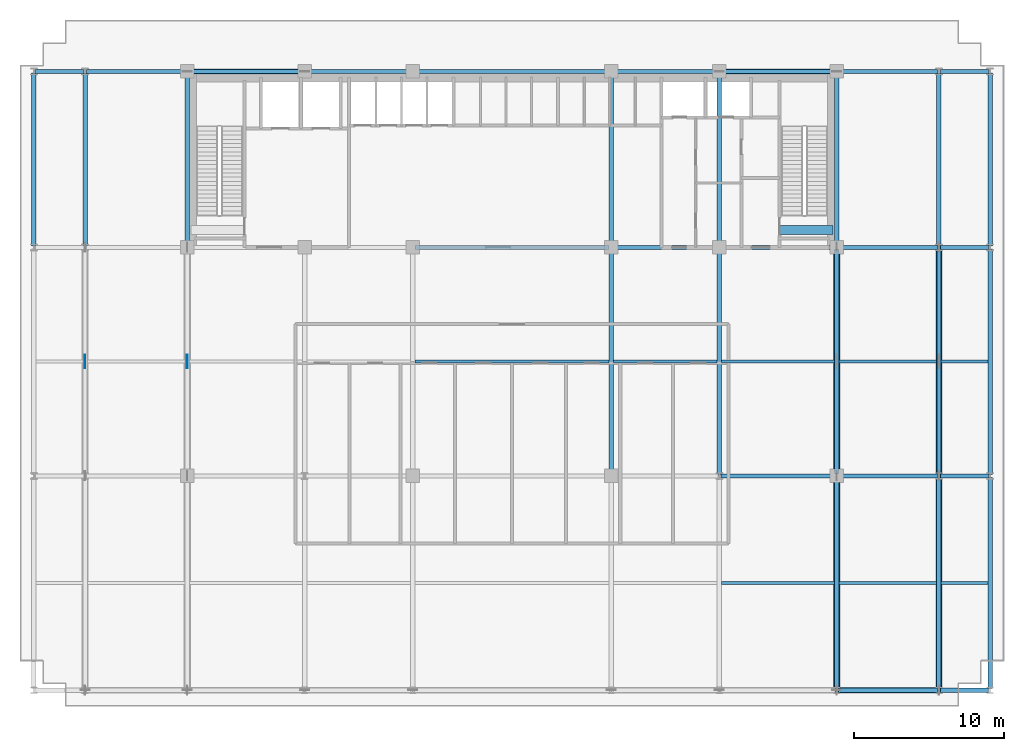
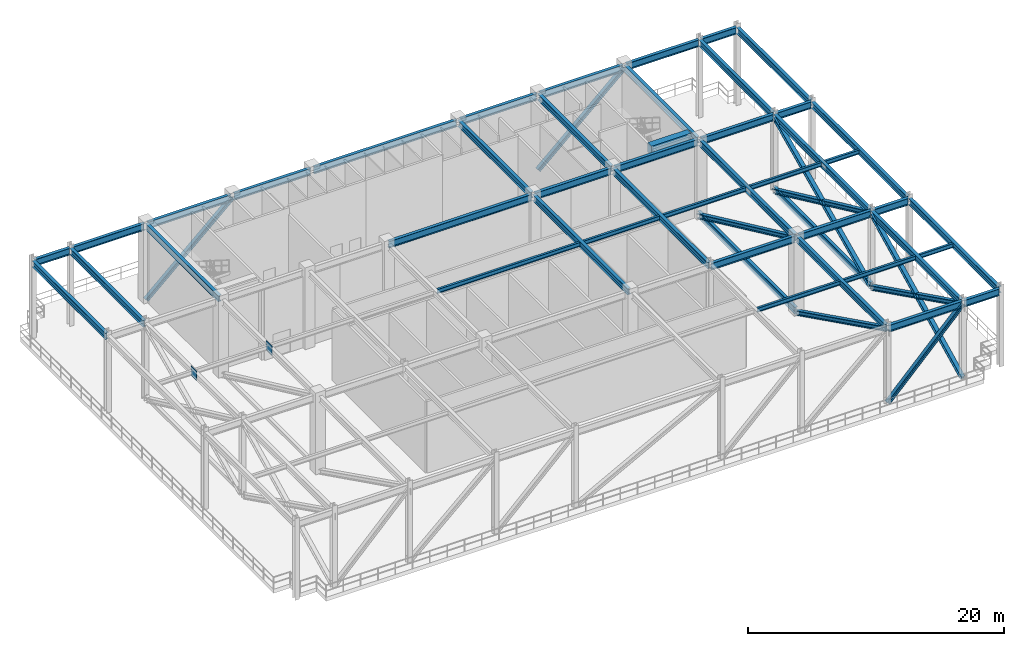
# One storey, part 5 of 16: 44 beams, 11 members, 2 plates.
"""IFC4 building model written with IfcOpenShell, lengths in metres."""

from ifc_helpers import new_model, si_unit, direction, frame, origin, origin_2d, place, context, subcontext, project, spatial, rectangle, i_section, extrude, source, transform, mapped, material, layer, layer_set, material_profile, profile_set, type_object, element, save


model = new_model("IFC4")

# Units and contexts
model_context = context("Model", 3, precision=1e-05, world=origin(), true_north=direction((0.0, 1.0)))
body_context = subcontext(model_context, "Body", "Model", "MODEL_VIEW")
ifc_project = project(units=[si_unit("LENGTHUNIT", "METRE"), si_unit("AREAUNIT", "SQUARE_METRE"), si_unit("VOLUMEUNIT", "CUBIC_METRE"), si_unit("PLANEANGLEUNIT", "RADIAN"), si_unit("MASSUNIT", "GRAM", prefix="KILO")], contexts=[model_context])

# Site, building, storey
site_placement = place(None, origin())
site = spatial("IfcSite", under=ifc_project, at=site_placement, CompositionType="ELEMENT")
building_placement = place(site_placement, origin())
building = spatial("IfcBuilding", under=site, at=building_placement, Name="Trelvane Seafront Commons", CompositionType="ELEMENT")
storey_placement = place(building_placement, frame((0.0, 0.0, 73.89990234375)))
storey = spatial("IfcBuildingStorey", under=building, at=storey_placement, Name="L19", CompositionType="ELEMENT", Elevation=73.89990234375)

# Beams
ifc_material_1 = material(Name="Concrete C60/75", Category="concrete")
ifc_material_profile_1 = material_profile(ifc_material_1, rectangle(XDim=0.60009765625, YDim=0.89990234375, at=origin_2d()), Name="RC-600x900")
ifc_profile_set_1 = profile_set([ifc_material_profile_1], Name="Concrete C60/75")
beam_type_1 = type_object("IfcBeamType", Name="STR-LNT-RC600x900", PredefinedType="LINTEL", material=ifc_profile_set_1)
shared_shape_1 = source(origin(), body_context, "Body", "SweptSolid", [
    extrude(rectangle(XDim=0.60009765625, YDim=0.89990234375, at=origin_2d()), origin(), (0.0, 0.0, 1.0), 3.550048828125),
])
beam_1_placement = place(storey_placement, frame((55.0, 34.550048828125, 6.97021484375), z_axis=(1.0, 0.0, 0.0), x_axis=(0.0, 1.0, 0.0)))
element("IfcBeam", 1, at=beam_1_placement, inside=storey, type_object=beam_type_1, Name="L19 Core Coupling Lintel Beam CB-86", PredefinedType="LINTEL", context=body_context, shape_type="MappedRepresentation", body=[
    mapped(shared_shape_1, transform((0.0, 0.0, 0.0), x_axis=(1.0, 0.0, 0.0), y_axis=(0.0, 1.0, 0.0), z_axis=(0.0, 0.0, 1.0), scale=1.0)),
])
ifc_material_2 = material(Name="Steel SM355 (S355)", Category="steel")
ifc_material_profile_2 = material_profile(ifc_material_2, i_section(OverallWidth=0.280029296875, OverallDepth=0.64990234375, WebThickness=0.012939453125, FlangeThickness=0.02197265625, at=origin_2d()), Name="H-650x280x13x22")
ifc_profile_set_2 = profile_set([ifc_material_profile_2], Name="Steel SM355 (S355)")
beam_type_2 = type_object("IfcBeamType", Name="STR-BM-H650", PredefinedType="BEAM", material=ifc_profile_set_2)
shared_shape_2 = source(origin(), body_context, "Body", "SweptSolid", [
    extrude(i_section(OverallWidth=0.280029296875, OverallDepth=0.64990234375, WebThickness=0.012939453125, FlangeThickness=0.02197265625, at=origin_2d()), origin(), (0.0, 0.0, 1.0), 3.190185546875),
])
beam_2_placement = place(storey_placement, frame((5.5048828125, 45.10009765625, 7.09521484375), z_axis=(1.0, 0.0, 0.0), x_axis=(0.0, 1.0, 0.0)))
element("IfcBeam", 2, at=beam_2_placement, inside=storey, type_object=beam_type_2, Name="L19 Primary Girder G-28", PredefinedType="BEAM", context=body_context, shape_type="MappedRepresentation", body=[
    mapped(shared_shape_2, transform((0.0, 0.0, 0.0), x_axis=(1.0, 0.0, 0.0), y_axis=(0.0, 1.0, 0.0), z_axis=(0.0, 0.0, 1.0), scale=1.0)),
])
shared_shape_3 = source(origin(), body_context, "Body", "SweptSolid", [
    extrude(i_section(OverallWidth=0.280029296875, OverallDepth=0.64990234375, WebThickness=0.012939453125, FlangeThickness=0.02197265625, at=origin_2d()), origin(), (0.0, 0.0, 1.0), 6.590087890625),
])
beam_3_placement = place(storey_placement, frame((58.905029296875, 3.949951171875, 7.09521484375), z_axis=(1.0, 0.0, 0.0), x_axis=(0.0, 1.0, 0.0)))
element("IfcBeam", 3, at=beam_3_placement, inside=storey, type_object=beam_type_2, Name="L19 Primary Girder G-08", PredefinedType="BEAM", context=body_context, shape_type="MappedRepresentation", body=[
    mapped(shared_shape_3, transform((0.0, 0.0, 0.0), x_axis=(1.0, 0.0, 0.0), y_axis=(0.0, 1.0, 0.0), z_axis=(0.0, 0.0, 1.0), scale=1.0)),
])
shared_shape_4 = source(origin(), body_context, "Body", "SweptSolid", [
    extrude(i_section(OverallWidth=0.280029296875, OverallDepth=0.64990234375, WebThickness=0.012939453125, FlangeThickness=0.02197265625, at=origin_2d()), origin(), (0.0, 0.0, 1.0), 3.18994140625),
])
for number, where, z_axis, x_axis, name in (
    (4, (65.705078125, 3.949951171875, 7.09521484375), (1.0, 0.0, 0.0), (0.0, 1.0, 0.0), "L19 Primary Girder G-09"),
    (5, (65.705078125, 18.199951171875, 7.09521484375), (1.0, 0.0, 0.0), (0.0, 1.0, 0.0), "L19 Primary Girder G-18"),
    (6, (65.705078125, 33.39990234375, 7.09521484375), (1.0, 0.0, 0.0), (0.0, 1.0, 0.0), "L19 Primary Girder G-27"),
    (7, (65.705078125, 45.10009765625, 7.09521484375), (1.0, 0.0, 0.0), (0.0, 1.0, 0.0), "L19 Primary Girder G-36"),
):
    element("IfcBeam", number, at=place(storey_placement, frame(where, z_axis=z_axis, x_axis=x_axis)), inside=storey, type_object=beam_type_2, Name=name, PredefinedType="BEAM", context=body_context, shape_type="MappedRepresentation", body=[
        mapped(shared_shape_4, transform((0.0, 0.0, 0.0), x_axis=(1.0, 0.0, 0.0), y_axis=(0.0, 1.0, 0.0), z_axis=(0.0, 0.0, 1.0), scale=1.0)),
    ])
shared_shape_5 = source(origin(), body_context, "Body", "SweptSolid", [
    extrude(i_section(OverallWidth=0.280029296875, OverallDepth=0.64990234375, WebThickness=0.012939453125, FlangeThickness=0.02197265625, at=origin_2d()), origin(), (0.0, 0.0, 1.0), 6.544921875),
])
beam_4_placement = place(storey_placement, frame((8.905029296875, 45.10009765625, 7.09521484375), z_axis=(1.0, 0.0, 0.0), x_axis=(0.0, 1.0, 0.0)))
element("IfcBeam", 8, at=beam_4_placement, inside=storey, type_object=beam_type_2, Name="L19 Primary Girder G-29", PredefinedType="BEAM", context=body_context, shape_type="MappedRepresentation", body=[
    mapped(shared_shape_5, transform((0.0, 0.0, 0.0), x_axis=(1.0, 0.0, 0.0), y_axis=(0.0, 1.0, 0.0), z_axis=(0.0, 0.0, 1.0), scale=1.0)),
])
shared_shape_6 = source(origin(), body_context, "Body", "SweptSolid", [
    extrude(i_section(OverallWidth=0.280029296875, OverallDepth=0.64990234375, WebThickness=0.012939453125, FlangeThickness=0.02197265625, at=origin_2d()), origin(), (0.0, 0.0, 1.0), 7.544921875),
])
beam_5_placement = place(storey_placement, frame((51.10498046875, 18.199951171875, 7.09521484375), z_axis=(1.0, 0.0, 0.0), x_axis=(0.0, 1.0, 0.0)))
element("IfcBeam", 9, at=beam_5_placement, inside=storey, type_object=beam_type_2, Name="L19 Primary Girder G-16", PredefinedType="BEAM", context=body_context, shape_type="MappedRepresentation", body=[
    mapped(shared_shape_6, transform((0.0, 0.0, 0.0), x_axis=(1.0, 0.0, 0.0), y_axis=(0.0, 1.0, 0.0), z_axis=(0.0, 0.0, 1.0), scale=1.0)),
])
shared_shape_7 = source(origin(), body_context, "Body", "SweptSolid", [
    extrude(i_section(OverallWidth=0.280029296875, OverallDepth=0.64990234375, WebThickness=0.012939453125, FlangeThickness=0.02197265625, at=origin_2d()), origin(), (0.0, 0.0, 1.0), 12.89990234375),
])
for number, where, z_axis, x_axis, name in (
    (10, (30.75, 33.39990234375, 7.09521484375), (1.0, 0.0, 0.0), (0.0, 1.0, 0.0), "L19 Primary Girder G-23"),
    (11, (30.75, 45.10009765625, 7.09521484375), (1.0, 0.0, 0.0), (0.0, 1.0, 0.0), "L19 Primary Girder G-32"),
):
    element("IfcBeam", number, at=place(storey_placement, frame(where, z_axis=z_axis, x_axis=x_axis)), inside=storey, type_object=beam_type_2, Name=name, PredefinedType="BEAM", context=body_context, shape_type="MappedRepresentation", body=[
        mapped(shared_shape_7, transform((0.0, 0.0, 0.0), x_axis=(1.0, 0.0, 0.0), y_axis=(0.0, 1.0, 0.0), z_axis=(0.0, 0.0, 1.0), scale=1.0)),
    ])
shared_shape_8 = source(origin(), body_context, "Body", "SweptSolid", [
    extrude(i_section(OverallWidth=0.280029296875, OverallDepth=0.64990234375, WebThickness=0.012939453125, FlangeThickness=0.02197265625, at=origin_2d()), origin(), (0.0, 0.0, 1.0), 6.545166015625),
])
for number, where, z_axis, x_axis, name in (
    (12, (58.949951171875, 18.199951171875, 7.09521484375), (1.0, 0.0, 0.0), (0.0, 1.0, 0.0), "L19 Primary Girder G-17"),
    (13, (58.949951171875, 33.39990234375, 7.09521484375), (1.0, 0.0, 0.0), (0.0, 1.0, 0.0), "L19 Primary Girder G-26"),
    (14, (58.949951171875, 45.10009765625, 7.09521484375), (1.0, 0.0, 0.0), (0.0, 1.0, 0.0), "L19 Primary Girder G-35"),
):
    element("IfcBeam", number, at=place(storey_placement, frame(where, z_axis=z_axis, x_axis=x_axis)), inside=storey, type_object=beam_type_2, Name=name, PredefinedType="BEAM", context=body_context, shape_type="MappedRepresentation", body=[
        mapped(shared_shape_8, transform((0.0, 0.0, 0.0), x_axis=(1.0, 0.0, 0.0), y_axis=(0.0, 1.0, 0.0), z_axis=(0.0, 0.0, 1.0), scale=1.0)),
    ])
shared_shape_9 = source(origin(), body_context, "Body", "SweptSolid", [
    extrude(i_section(OverallWidth=0.280029296875, OverallDepth=0.64990234375, WebThickness=0.012939453125, FlangeThickness=0.02197265625, at=origin_2d()), origin(), (0.0, 0.0, 1.0), 7.5),
])
for number, where, z_axis, x_axis, name in (
    (15, (51.14990234375, 33.39990234375, 7.09521484375), (1.0, 0.0, 0.0), (0.0, 1.0, 0.0), "L19 Primary Girder G-25"),
    (16, (15.75, 45.10009765625, 7.09521484375), (1.0, 0.0, 0.0), (0.0, 1.0, 0.0), "L19 Primary Girder G-30"),
    (17, (51.14990234375, 45.10009765625, 7.09521484375), (1.0, 0.0, 0.0), (0.0, 1.0, 0.0), "L19 Primary Girder G-34"),
):
    element("IfcBeam", number, at=place(storey_placement, frame(where, z_axis=z_axis, x_axis=x_axis)), inside=storey, type_object=beam_type_2, Name=name, PredefinedType="BEAM", context=body_context, shape_type="MappedRepresentation", body=[
        mapped(shared_shape_9, transform((0.0, 0.0, 0.0), x_axis=(1.0, 0.0, 0.0), y_axis=(0.0, 1.0, 0.0), z_axis=(0.0, 0.0, 1.0), scale=1.0)),
    ])
shared_shape_10 = source(origin(), body_context, "Body", "SweptSolid", [
    extrude(i_section(OverallWidth=0.280029296875, OverallDepth=0.64990234375, WebThickness=0.012939453125, FlangeThickness=0.02197265625, at=origin_2d()), origin(), (0.0, 0.0, 1.0), 6.89990234375),
])
beam_6_placement = place(storey_placement, frame((23.550048828125, 45.10009765625, 7.09521484375), z_axis=(1.0, 0.0, 0.0), x_axis=(0.0, 1.0, 0.0)))
element("IfcBeam", 18, at=beam_6_placement, inside=storey, type_object=beam_type_2, Name="L19 Primary Girder G-31", PredefinedType="BEAM", context=body_context, shape_type="MappedRepresentation", body=[
    mapped(shared_shape_10, transform((0.0, 0.0, 0.0), x_axis=(1.0, 0.0, 0.0), y_axis=(0.0, 1.0, 0.0), z_axis=(0.0, 0.0, 1.0), scale=1.0)),
])
shared_shape_11 = source(origin(), body_context, "Body", "SweptSolid", [
    extrude(i_section(OverallWidth=0.280029296875, OverallDepth=0.64990234375, WebThickness=0.012939453125, FlangeThickness=0.02197265625, at=origin_2d()), origin(), (0.0, 0.0, 1.0), 6.900146484375),
])
for number, where, z_axis, x_axis, name in (
    (19, (43.949951171875, 33.39990234375, 7.09521484375), (1.0, 0.0, 0.0), (0.0, 1.0, 0.0), "L19 Primary Girder G-24"),
    (20, (43.949951171875, 45.10009765625, 7.09521484375), (1.0, 0.0, 0.0), (0.0, 1.0, 0.0), "L19 Primary Girder G-33"),
):
    element("IfcBeam", number, at=place(storey_placement, frame(where, z_axis=z_axis, x_axis=x_axis)), inside=storey, type_object=beam_type_2, Name=name, PredefinedType="BEAM", context=body_context, shape_type="MappedRepresentation", body=[
        mapped(shared_shape_11, transform((0.0, 0.0, 0.0), x_axis=(1.0, 0.0, 0.0), y_axis=(0.0, 1.0, 0.0), z_axis=(0.0, 0.0, 1.0), scale=1.0)),
    ])
ifc_material_profile_3 = material_profile(ifc_material_2, i_section(OverallWidth=0.300048828125, OverallDepth=0.587890625, WebThickness=0.011962890625, FlangeThickness=0.02001953125, at=origin_2d()), Name="H-588x300x12x20")
ifc_profile_set_3 = profile_set([ifc_material_profile_3], Name="Steel SM355 (S355)")
beam_type_3 = type_object("IfcBeamType", Name="STR-BM-H588", PredefinedType="BEAM", material=ifc_profile_set_3)
shared_shape_12 = source(origin(), body_context, "Body", "SweptSolid", [
    extrude(i_section(OverallWidth=0.300048828125, OverallDepth=0.587890625, WebThickness=0.011962890625, FlangeThickness=0.02001953125, at=origin_2d()), origin(), (0.0, 0.0, 1.0), 14.0400390625),
])
for number, where, z_axis, x_axis, name in (
    (21, (65.60009765625, 4.054931640625, 7.1259765625), (0.0, 1.0, 0.0), (-1.0, 0.0, 0.0), "L19 Primary Girder G-61"),
    (22, (69.0, 4.054931640625, 7.1259765625), (0.0, 1.0, 0.0), (-1.0, 0.0, 0.0), "L19 Primary Girder G-64"),
):
    element("IfcBeam", number, at=place(storey_placement, frame(where, z_axis=z_axis, x_axis=x_axis)), inside=storey, type_object=beam_type_3, Name=name, PredefinedType="BEAM", context=body_context, shape_type="MappedRepresentation", body=[
        mapped(shared_shape_12, transform((0.0, 0.0, 0.0), x_axis=(1.0, 0.0, 0.0), y_axis=(0.0, 1.0, 0.0), z_axis=(0.0, 0.0, 1.0), scale=1.0)),
    ])
shared_shape_13 = source(origin(), body_context, "Body", "SweptSolid", [
    extrude(i_section(OverallWidth=0.300048828125, OverallDepth=0.587890625, WebThickness=0.011962890625, FlangeThickness=0.02001953125, at=origin_2d()), origin(), (0.0, 0.0, 1.0), 14.989990234375),
])
for number, where, z_axis, x_axis, name in (
    (23, (65.60009765625, 18.304931640625, 7.1259765625), (0.0, 1.0, 0.0), (-1.0, 0.0, 0.0), "L19 Primary Girder G-62"),
    (24, (69.0, 18.304931640625, 7.1259765625), (0.0, 1.0, 0.0), (-1.0, 0.0, 0.0), "L19 Primary Girder G-65"),
):
    element("IfcBeam", number, at=place(storey_placement, frame(where, z_axis=z_axis, x_axis=x_axis)), inside=storey, type_object=beam_type_3, Name=name, PredefinedType="BEAM", context=body_context, shape_type="MappedRepresentation", body=[
        mapped(shared_shape_13, transform((0.0, 0.0, 0.0), x_axis=(1.0, 0.0, 0.0), y_axis=(0.0, 1.0, 0.0), z_axis=(0.0, 0.0, 1.0), scale=1.0)),
    ])
shared_shape_14 = source(origin(), body_context, "Body", "SweptSolid", [
    extrude(i_section(OverallWidth=0.300048828125, OverallDepth=0.587890625, WebThickness=0.011962890625, FlangeThickness=0.02001953125, at=origin_2d()), origin(), (0.0, 0.0, 1.0), 11.490234375),
])
for number, where, z_axis, x_axis, name in (
    (25, (5.39990234375, 33.5048828125, 7.1259765625), (0.0, 1.0, 0.0), (-1.0, 0.0, 0.0), "L19 Primary Girder G-39"),
    (26, (8.800048828125, 33.5048828125, 7.1259765625), (0.0, 1.0, 0.0), (-1.0, 0.0, 0.0), "L19 Primary Girder G-42"),
    (27, (65.60009765625, 33.5048828125, 7.1259765625), (0.0, 1.0, 0.0), (-1.0, 0.0, 0.0), "L19 Primary Girder G-63"),
    (28, (69.0, 33.5048828125, 7.1259765625), (0.0, 1.0, 0.0), (-1.0, 0.0, 0.0), "L19 Primary Girder G-66"),
):
    element("IfcBeam", number, at=place(storey_placement, frame(where, z_axis=z_axis, x_axis=x_axis)), inside=storey, type_object=beam_type_3, Name=name, PredefinedType="BEAM", context=body_context, shape_type="MappedRepresentation", body=[
        mapped(shared_shape_14, transform((0.0, 0.0, 0.0), x_axis=(1.0, 0.0, 0.0), y_axis=(0.0, 1.0, 0.0), z_axis=(0.0, 0.0, 1.0), scale=1.0)),
    ])
shared_shape_15 = source(origin(), body_context, "Body", "SweptSolid", [
    extrude(i_section(OverallWidth=0.300048828125, OverallDepth=0.587890625, WebThickness=0.011962890625, FlangeThickness=0.02001953125, at=origin_2d()), origin(), (0.0, 0.0, 1.0), 13.9951171875),
])
beam_7_placement = place(storey_placement, frame((58.800048828125, 4.054931640625, 7.1259765625), z_axis=(0.0, 1.0, 0.0), x_axis=(-1.0, 0.0, 0.0)))
element("IfcBeam", 29, at=beam_7_placement, inside=storey, type_object=beam_type_3, Name="L19 Primary Girder G-58", PredefinedType="BEAM", context=body_context, shape_type="MappedRepresentation", body=[
    mapped(shared_shape_15, transform((0.0, 0.0, 0.0), x_axis=(1.0, 0.0, 0.0), y_axis=(0.0, 1.0, 0.0), z_axis=(0.0, 0.0, 1.0), scale=1.0)),
])
shared_shape_16 = source(origin(), body_context, "Body", "SweptSolid", [
    extrude(i_section(OverallWidth=0.300048828125, OverallDepth=0.587890625, WebThickness=0.011962890625, FlangeThickness=0.02001953125, at=origin_2d()), origin(), (0.0, 0.0, 1.0), 14.89990234375),
])
for number, where, z_axis, x_axis, name in (
    (30, (43.800048828125, 18.35009765625, 7.1259765625), (0.0, 1.0, 0.0), (-1.0, 0.0, 0.0), "L19 Primary Girder G-53"),
    (31, (58.800048828125, 18.35009765625, 7.1259765625), (0.0, 1.0, 0.0), (-1.0, 0.0, 0.0), "L19 Primary Girder G-59"),
):
    element("IfcBeam", number, at=place(storey_placement, frame(where, z_axis=z_axis, x_axis=x_axis)), inside=storey, type_object=beam_type_3, Name=name, PredefinedType="BEAM", context=body_context, shape_type="MappedRepresentation", body=[
        mapped(shared_shape_16, transform((0.0, 0.0, 0.0), x_axis=(1.0, 0.0, 0.0), y_axis=(0.0, 1.0, 0.0), z_axis=(0.0, 0.0, 1.0), scale=1.0)),
    ])
shared_shape_17 = source(origin(), body_context, "Body", "SweptSolid", [
    extrude(i_section(OverallWidth=0.300048828125, OverallDepth=0.587890625, WebThickness=0.011962890625, FlangeThickness=0.02001953125, at=origin_2d()), origin(), (0.0, 0.0, 1.0), 11.39990234375),
])
for number, where, z_axis, x_axis, name in (
    (32, (15.60009765625, 33.550048828125, 7.1259765625), (0.0, 1.0, 0.0), (-1.0, 0.0, 0.0), "L19 Primary Girder G-45"),
    (33, (43.800048828125, 33.550048828125, 7.1259765625), (0.0, 1.0, 0.0), (-1.0, 0.0, 0.0), "L19 Primary Girder G-54"),
    (34, (51.0, 33.550048828125, 7.1259765625), (0.0, 1.0, 0.0), (-1.0, 0.0, 0.0), "L19 Primary Girder G-57"),
    (35, (58.800048828125, 33.550048828125, 7.1259765625), (0.0, 1.0, 0.0), (-1.0, 0.0, 0.0), "L19 Primary Girder G-60"),
):
    element("IfcBeam", number, at=place(storey_placement, frame(where, z_axis=z_axis, x_axis=x_axis)), inside=storey, type_object=beam_type_3, Name=name, PredefinedType="BEAM", context=body_context, shape_type="MappedRepresentation", body=[
        mapped(shared_shape_17, transform((0.0, 0.0, 0.0), x_axis=(1.0, 0.0, 0.0), y_axis=(0.0, 1.0, 0.0), z_axis=(0.0, 0.0, 1.0), scale=1.0)),
    ])
shared_shape_18 = source(origin(), body_context, "Body", "SweptSolid", [
    extrude(i_section(OverallWidth=0.300048828125, OverallDepth=0.587890625, WebThickness=0.011962890625, FlangeThickness=0.02001953125, at=origin_2d()), origin(), (0.0, 0.0, 1.0), 14.945068359375),
])
beam_8_placement = place(storey_placement, frame((51.0, 18.304931640625, 7.1259765625), z_axis=(0.0, 1.0, 0.0), x_axis=(-1.0, 0.0, 0.0)))
element("IfcBeam", 36, at=beam_8_placement, inside=storey, type_object=beam_type_3, Name="L19 Primary Girder G-56", PredefinedType="BEAM", context=body_context, shape_type="MappedRepresentation", body=[
    mapped(shared_shape_18, transform((0.0, 0.0, 0.0), x_axis=(1.0, 0.0, 0.0), y_axis=(0.0, 1.0, 0.0), z_axis=(0.0, 0.0, 1.0), scale=1.0)),
])
ifc_material_profile_4 = material_profile(ifc_material_2, i_section(OverallWidth=0.199951171875, OverallDepth=0.39990234375, WebThickness=0.008056640625, FlangeThickness=0.012939453125, at=origin_2d()), Name="H-400x200x8x13")
ifc_profile_set_4 = profile_set([ifc_material_profile_4], Name="Steel SM355 (S355)")
beam_type_4 = type_object("IfcBeamType", Name="STR-JST-H400", PredefinedType="JOIST", material=ifc_profile_set_4)
shared_shape_19 = source(origin(), body_context, "Body", "SweptSolid", [
    extrude(i_section(OverallWidth=0.199951171875, OverallDepth=0.39990234375, WebThickness=0.008056640625, FlangeThickness=0.012939453125, at=origin_2d()), origin(), (0.0, 0.0, 1.0), 6.5),
])
for number, where, z_axis, x_axis, name in (
    (37, (58.949951171875, 11.074951171875, 7.22021484375), (1.0, 0.0, 0.0), (0.0, 1.0, 0.0), "L19 Secondary Floor Joist B-74"),
    (38, (58.949951171875, 25.800048828125, 7.22021484375), (1.0, 0.0, 0.0), (0.0, 1.0, 0.0), "L19 Secondary Floor Joist B-83"),
):
    element("IfcBeam", number, at=place(storey_placement, frame(where, z_axis=z_axis, x_axis=x_axis)), inside=storey, type_object=beam_type_4, Name=name, PredefinedType="JOIST", context=body_context, shape_type="MappedRepresentation", body=[
        mapped(shared_shape_19, transform((0.0, 0.0, 0.0), x_axis=(1.0, 0.0, 0.0), y_axis=(0.0, 1.0, 0.0), z_axis=(0.0, 0.0, 1.0), scale=1.0)),
    ])
shared_shape_20 = source(origin(), body_context, "Body", "SweptSolid", [
    extrude(i_section(OverallWidth=0.199951171875, OverallDepth=0.39990234375, WebThickness=0.008056640625, FlangeThickness=0.012939453125, at=origin_2d()), origin(), (0.0, 0.0, 1.0), 7.5),
])
for number, where, z_axis, x_axis, name in (
    (39, (51.14990234375, 11.074951171875, 7.22021484375), (1.0, 0.0, 0.0), (0.0, 1.0, 0.0), "L19 Secondary Floor Joist B-73"),
    (40, (51.14990234375, 25.800048828125, 7.22021484375), (1.0, 0.0, 0.0), (0.0, 1.0, 0.0), "L19 Secondary Floor Joist B-82"),
):
    element("IfcBeam", number, at=place(storey_placement, frame(where, z_axis=z_axis, x_axis=x_axis)), inside=storey, type_object=beam_type_4, Name=name, PredefinedType="JOIST", context=body_context, shape_type="MappedRepresentation", body=[
        mapped(shared_shape_20, transform((0.0, 0.0, 0.0), x_axis=(1.0, 0.0, 0.0), y_axis=(0.0, 1.0, 0.0), z_axis=(0.0, 0.0, 1.0), scale=1.0)),
    ])
shared_shape_21 = source(origin(), body_context, "Body", "SweptSolid", [
    extrude(i_section(OverallWidth=0.199951171875, OverallDepth=0.39990234375, WebThickness=0.008056640625, FlangeThickness=0.012939453125, at=origin_2d()), origin(), (0.0, 0.0, 1.0), 12.89990234375),
])
beam_9_placement = place(storey_placement, frame((30.75, 25.800048828125, 7.22021484375), z_axis=(1.0, 0.0, 0.0), x_axis=(0.0, 1.0, 0.0)))
element("IfcBeam", 41, at=beam_9_placement, inside=storey, type_object=beam_type_4, Name="L19 Secondary Floor Joist B-80", PredefinedType="JOIST", context=body_context, shape_type="MappedRepresentation", body=[
    mapped(shared_shape_21, transform((0.0, 0.0, 0.0), x_axis=(1.0, 0.0, 0.0), y_axis=(0.0, 1.0, 0.0), z_axis=(0.0, 0.0, 1.0), scale=1.0)),
])
shared_shape_22 = source(origin(), body_context, "Body", "SweptSolid", [
    extrude(i_section(OverallWidth=0.199951171875, OverallDepth=0.39990234375, WebThickness=0.008056640625, FlangeThickness=0.012939453125, at=origin_2d()), origin(), (0.0, 0.0, 1.0), 6.900146484375),
])
beam_10_placement = place(storey_placement, frame((43.949951171875, 25.800048828125, 7.22021484375), z_axis=(1.0, 0.0, 0.0), x_axis=(0.0, 1.0, 0.0)))
element("IfcBeam", 42, at=beam_10_placement, inside=storey, type_object=beam_type_4, Name="L19 Secondary Floor Joist B-81", PredefinedType="JOIST", context=body_context, shape_type="MappedRepresentation", body=[
    mapped(shared_shape_22, transform((0.0, 0.0, 0.0), x_axis=(1.0, 0.0, 0.0), y_axis=(0.0, 1.0, 0.0), z_axis=(0.0, 0.0, 1.0), scale=1.0)),
])
shared_shape_23 = source(origin(), body_context, "Body", "SweptSolid", [
    extrude(i_section(OverallWidth=0.199951171875, OverallDepth=0.39990234375, WebThickness=0.008056640625, FlangeThickness=0.012939453125, at=origin_2d()), origin(), (0.0, 0.0, 1.0), 3.10009765625),
])
for number, where, z_axis, x_axis, name in (
    (43, (65.75, 11.074951171875, 7.22021484375), (1.0, 0.0, 0.0), (0.0, 1.0, 0.0), "L19 Secondary Floor Joist B-75"),
    (44, (65.75, 25.800048828125, 7.22021484375), (1.0, 0.0, 0.0), (0.0, 1.0, 0.0), "L19 Secondary Floor Joist B-84"),
):
    element("IfcBeam", number, at=place(storey_placement, frame(where, z_axis=z_axis, x_axis=x_axis)), inside=storey, type_object=beam_type_4, Name=name, PredefinedType="JOIST", context=body_context, shape_type="MappedRepresentation", body=[
        mapped(shared_shape_23, transform((0.0, 0.0, 0.0), x_axis=(1.0, 0.0, 0.0), y_axis=(0.0, 1.0, 0.0), z_axis=(0.0, 0.0, 1.0), scale=1.0)),
    ])

# Members
ifc_material_profile_5 = material_profile(ifc_material_2, i_section(OverallWidth=0.39990234375, OverallDepth=0.39990234375, WebThickness=0.02197265625, FlangeThickness=0.034912109375, at=origin_2d()), Name="HD-400x400x22x35")
ifc_profile_set_5 = profile_set([ifc_material_profile_5], Name="Steel SM355 (S355)")
member_type_1 = type_object("IfcMemberType", Name="STR-BRC-HD400", PredefinedType="BRACE", material=ifc_profile_set_5)
shared_shape_24 = source(origin(), body_context, "Body", "SweptSolid", [
    extrude(i_section(OverallWidth=0.39990234375, OverallDepth=0.39990234375, WebThickness=0.02197265625, FlangeThickness=0.034912109375, at=origin_2d()), origin(), (0.0, 0.0, 1.0), 16.763671875),
])
for number, where, z_axis, x_axis, name in (
    (45, (58.800048828125, 33.39990234375, 0.0), (0.0, -0.90671372959, 0.421746621295), (1.0, 0.0, 0.0), "L19 Outrigger Truss Diagonal OB-3A"),
    (46, (65.60009765625, 33.39990234375, 0.0), (0.0, -0.90671372959, 0.421746621295), (1.0, 0.0, 0.0), "L19 Outrigger Truss Diagonal OB-4A"),
):
    element("IfcMember", number, at=place(storey_placement, frame(where, z_axis=z_axis, x_axis=x_axis)), inside=storey, type_object=member_type_1, Name=name, PredefinedType="BRACE", context=body_context, shape_type="MappedRepresentation", body=[
        mapped(shared_shape_24, transform((0.0, 0.0, 0.0), x_axis=(1.0, 0.0, 0.0), y_axis=(0.0, 1.0, 0.0), z_axis=(0.0, 0.0, 1.0), scale=1.0)),
    ])
shared_shape_25 = source(origin(), body_context, "Body", "SweptSolid", [
    extrude(i_section(OverallWidth=0.39990234375, OverallDepth=0.39990234375, WebThickness=0.02197265625, FlangeThickness=0.034912109375, at=origin_2d()), origin(), (0.0, 0.0, 1.0), 15.907470703125),
])
for number, where, z_axis, x_axis, name in (
    (47, (58.800048828125, 18.199951171875, 0.0), (0.0, -0.895804201775, 0.444448908292), (1.0, 0.0, 0.0), "L19 Outrigger Truss Diagonal OB-3B"),
    (48, (65.60009765625, 18.199951171875, 0.0), (0.0, -0.895804201775, 0.444448908292), (1.0, 0.0, 0.0), "L19 Outrigger Truss Diagonal OB-4B"),
):
    element("IfcMember", number, at=place(storey_placement, frame(where, z_axis=z_axis, x_axis=x_axis)), inside=storey, type_object=member_type_1, Name=name, PredefinedType="BRACE", context=body_context, shape_type="MappedRepresentation", body=[
        mapped(shared_shape_25, transform((0.0, 0.0, 0.0), x_axis=(1.0, 0.0, 0.0), y_axis=(0.0, 1.0, 0.0), z_axis=(0.0, 0.0, 1.0), scale=1.0)),
    ])
ifc_material_profile_6 = material_profile(ifc_material_2, i_section(OverallWidth=0.280029296875, OverallDepth=0.64990234375, WebThickness=0.012939453125, FlangeThickness=0.02197265625, at=origin_2d()), Name="H-650x280x13x22")
ifc_profile_set_6 = profile_set([ifc_material_profile_6], Name="Steel SM355 (S355)")
member_type_2 = type_object("IfcMemberType", Name="STR-CHD-H650", PredefinedType="CHORD", material=ifc_profile_set_6)
shared_shape_26 = source(origin(), body_context, "Body", "SweptSolid", [
    extrude(i_section(OverallWidth=0.280029296875, OverallDepth=0.64990234375, WebThickness=0.012939453125, FlangeThickness=0.02197265625, at=origin_2d()), origin(), (0.0, 0.0, 1.0), 15.199951171875),
])
for number, where, z_axis, x_axis, name in (
    (49, (58.800048828125, 18.199951171875, 0.16015625), (0.0, 1.0, 0.0), (-1.0, 0.0, 0.0), "L19 Outrigger Bottom Chord CH-3"),
    (50, (65.60009765625, 18.199951171875, 0.16015625), (0.0, 1.0, 0.0), (-1.0, 0.0, 0.0), "L19 Outrigger Bottom Chord CH-4"),
):
    element("IfcMember", number, at=place(storey_placement, frame(where, z_axis=z_axis, x_axis=x_axis)), inside=storey, type_object=member_type_2, Name=name, PredefinedType="CHORD", context=body_context, shape_type="MappedRepresentation", body=[
        mapped(shared_shape_26, transform((0.0, 0.0, 0.0), x_axis=(1.0, 0.0, 0.0), y_axis=(0.0, 1.0, 0.0), z_axis=(0.0, 0.0, 1.0), scale=1.0)),
    ])
ifc_material_profile_7 = material_profile(ifc_material_2, i_section(OverallWidth=0.35009765625, OverallDepth=0.35009765625, WebThickness=0.01806640625, FlangeThickness=0.028076171875, at=origin_2d()), Name="HD-350x350x18x28")
ifc_profile_set_7 = profile_set([ifc_material_profile_7], Name="Steel SM355 (S355)")
member_type_3 = type_object("IfcMemberType", Name="STR-BRC-HD350", PredefinedType="BRACE", material=ifc_profile_set_7)
shared_shape_27 = source(origin(), body_context, "Body", "SweptSolid", [
    extrude(i_section(OverallWidth=0.35009765625, OverallDepth=0.35009765625, WebThickness=0.01806640625, FlangeThickness=0.028076171875, at=origin_2d()), origin(), (0.0, 0.0, 1.0), 9.8095703125),
])
member_1_placement = place(storey_placement, frame((58.800048828125, 3.949951171875, 0.0), z_axis=(0.693209677679, 0.0, 0.720735972997), x_axis=(0.0, 1.0, 0.0)))
element("IfcMember", 51, at=member_1_placement, inside=storey, type_object=member_type_3, Name="L19 Perimeter Belt Truss Brace BT-7D", PredefinedType="BRACE", context=body_context, shape_type="MappedRepresentation", body=[
    mapped(shared_shape_27, transform((0.0, 0.0, 0.0), x_axis=(1.0, 0.0, 0.0), y_axis=(0.0, 1.0, 0.0), z_axis=(0.0, 0.0, 1.0), scale=1.0)),
])
shared_shape_28 = source(origin(), body_context, "Body", "SweptSolid", [
    extrude(i_section(OverallWidth=0.35009765625, OverallDepth=0.35009765625, WebThickness=0.01806640625, FlangeThickness=0.028076171875, at=origin_2d()), origin(), (0.0, 0.0, 1.0), 10.52734375),
])
for number, where, z_axis, x_axis, name in (
    (52, (15.60009765625, 45.10009765625, 0.0), (0.740916266657, 0.0, 0.671597413488), (0.0, 1.0, 0.0), "L19 North Belt Truss Brace BTN-1"),
    (53, (51.0, 45.10009765625, 0.0), (0.740926726671, 0.0, 0.671585873663), (0.0, 1.0, 0.0), "L19 North Belt Truss Brace BTN-2"),
):
    element("IfcMember", number, at=place(storey_placement, frame(where, z_axis=z_axis, x_axis=x_axis)), inside=storey, type_object=member_type_3, Name=name, PredefinedType="BRACE", context=body_context, shape_type="MappedRepresentation", body=[
        mapped(shared_shape_28, transform((0.0, 0.0, 0.0), x_axis=(1.0, 0.0, 0.0), y_axis=(0.0, 1.0, 0.0), z_axis=(0.0, 0.0, 1.0), scale=1.0)),
    ])
shared_shape_29 = source(origin(), body_context, "Body", "SweptSolid", [
    extrude(i_section(OverallWidth=0.35009765625, OverallDepth=0.35009765625, WebThickness=0.01806640625, FlangeThickness=0.028076171875, at=origin_2d()), origin(), (0.0, 0.0, 1.0), 15.907470703125),
])
member_2_placement = place(storey_placement, frame((65.60009765625, 3.949951171875, 0.0), z_axis=(0.0, 0.895804201775, 0.444448908292), x_axis=(-1.0, 0.0, 0.0)))
element("IfcMember", 54, at=member_2_placement, inside=storey, type_object=member_type_3, Name="L19 Flank Belt Truss Brace BTE-3", PredefinedType="BRACE", context=body_context, shape_type="MappedRepresentation", body=[
    mapped(shared_shape_29, transform((0.0, 0.0, 0.0), x_axis=(1.0, 0.0, 0.0), y_axis=(0.0, 1.0, 0.0), z_axis=(0.0, 0.0, 1.0), scale=1.0)),
])
shared_shape_30 = source(origin(), body_context, "Body", "SweptSolid", [
    extrude(i_section(OverallWidth=0.35009765625, OverallDepth=0.35009765625, WebThickness=0.01806640625, FlangeThickness=0.028076171875, at=origin_2d()), origin(), (0.0, 0.0, 1.0), 16.763671875),
])
member_3_placement = place(storey_placement, frame((65.60009765625, 18.199951171875, 0.0), z_axis=(0.0, 0.90671372959, 0.421746621295), x_axis=(-1.0, 0.0, 0.0)))
element("IfcMember", 55, at=member_3_placement, inside=storey, type_object=member_type_3, Name="L19 Flank Belt Truss Brace BTE-4", PredefinedType="BRACE", context=body_context, shape_type="MappedRepresentation", body=[
    mapped(shared_shape_30, transform((0.0, 0.0, 0.0), x_axis=(1.0, 0.0, 0.0), y_axis=(0.0, 1.0, 0.0), z_axis=(0.0, 0.0, 1.0), scale=1.0)),
])

# Plates
ifc_layer = layer(ifc_material_2, 0.035888671875, Name="STR-PLT-GUS1")
ifc_layer_set = layer_set([ifc_layer], Name="Steel SM355 (S355)")
plate_type = type_object("IfcPlateType", Name="STR-PLT-GUS1", PredefinedType="SHEET", material=ifc_layer_set)
shared_shape_31 = source(origin(), body_context, "Body", "SweptSolid", [
    extrude(rectangle(XDim=0.035888671875, YDim=0.89990234375, at=origin_2d()), origin(), (0.0, 0.0, 1.0), 0.89990234375),
])
for number, where, z_axis, x_axis, name in (
    (56, (8.800048828125, 25.800048828125, 6.6201171875), (0.0, 0.0, 1.0), (1.0, 0.0, 0.0), "L19 Outrigger Gusset Plate ON1-1"),
    (57, (15.60009765625, 25.800048828125, 6.6201171875), (0.0, 0.0, 1.0), (1.0, 0.0, 0.0), "L19 Outrigger Gusset Plate ON1-2"),
):
    element("IfcPlate", number, at=place(storey_placement, frame(where, z_axis=z_axis, x_axis=x_axis)), inside=storey, type_object=plate_type, Name=name, PredefinedType="SHEET", context=body_context, shape_type="MappedRepresentation", body=[
        mapped(shared_shape_31, transform((0.0, 0.0, 0.0), x_axis=(1.0, 0.0, 0.0), y_axis=(0.0, 1.0, 0.0), z_axis=(0.0, 0.0, 1.0), scale=1.0)),
    ])

save(model, "model.ifc")
